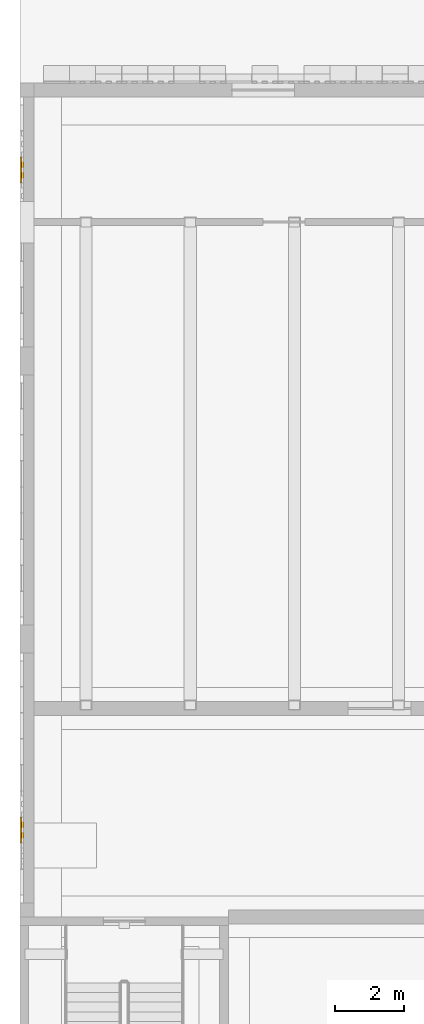
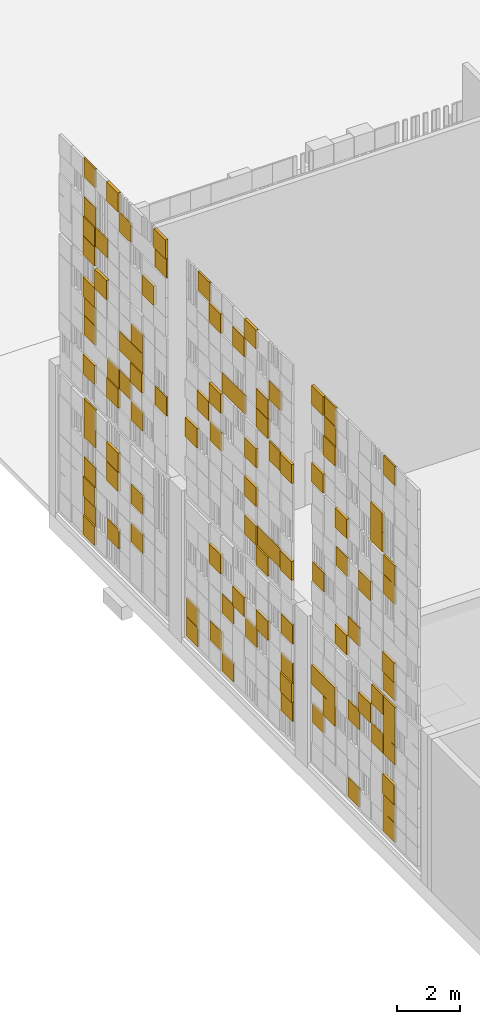
# One storey, part 90 of 125: 1 covering.
"""IFC4 building model written with IfcOpenShell, lengths in metres."""

from ifc_helpers import new_model, si_unit, direction, frame, origin, origin_2d, place, context, subcontext, project, spatial, rectangle, extrude, material, layer, layer_set, type_object, element, save


model = new_model("IFC4")

# Units and contexts
model_context = context("Model", 3, precision=1e-05, world=origin(), true_north=direction((0.0, 1.0)))
body_context = subcontext(model_context, "Body", "Model", "MODEL_VIEW")
ifc_project = project(units=[si_unit("LENGTHUNIT", "METRE"), si_unit("AREAUNIT", "SQUARE_METRE"), si_unit("VOLUMEUNIT", "CUBIC_METRE"), si_unit("PLANEANGLEUNIT", "RADIAN"), si_unit("MASSUNIT", "GRAM", prefix="KILO")], contexts=[model_context])

# Site, building, storey
site_placement = place(None, origin())
site = spatial("IfcSite", under=ifc_project, at=site_placement, CompositionType="ELEMENT")
building_placement = place(site_placement, origin())
building = spatial("IfcBuilding", under=site, at=building_placement, Name="Sun Court Science Centre", CompositionType="ELEMENT")
storey_placement = place(building_placement, origin())
storey = spatial("IfcBuildingStorey", under=building, at=storey_placement, Name="L00", CompositionType="ELEMENT", Elevation=0.0)

# Covering
ifc_material = material(Name="Terracotta shade 2", Category="masonry")
ifc_layer = layer(ifc_material, 0.06005859375)
ifc_layer_set = layer_set([ifc_layer], Name="Terracotta shade 2")
covering_type = type_object("IfcCoveringType", Name="Terracotta pixel panel shade 2", PredefinedType="CLADDING", material=ifc_layer_set)
covering_placement = place(storey_placement, origin())
element("IfcCovering", 1, at=covering_placement, inside=storey, type_object=covering_type, Name="Terracotta pixel cladding shade 2 west party wall L00", PredefinedType="CLADDING", context=body_context, shape_type="SweptSolid", body=[
    extrude(rectangle(XDim=0.739990234375, YDim=0.06005859375, at=origin_2d()), frame((0.070068359375, 50.5, 0.22998046875), z_axis=(0.0, 0.0, 1.0), x_axis=(0.0, 1.0, 0.0)), (0.0, 0.0, 1.0), 0.739990234375),
    extrude(rectangle(XDim=0.739990234375, YDim=0.06005859375, at=origin_2d()), frame((0.070068359375, 52.75, 0.22998046875), z_axis=(0.0, 0.0, 1.0), x_axis=(0.0, 1.0, 0.0)), (0.0, 0.0, 1.0), 0.739990234375),
    extrude(rectangle(XDim=0.739990234375, YDim=0.06005859375, at=origin_2d()), frame((0.070068359375, 55.0, 1.72998046875), z_axis=(0.0, 0.0, 1.0), x_axis=(0.0, 1.0, 0.0)), (0.0, 0.0, 1.0), 0.739990234375),
    extrude(rectangle(XDim=0.739990234375, YDim=0.10009765625, at=origin_2d()), frame((0.050048828125, 54.25, 2.47998046875), z_axis=(0.0, 0.0, 1.0), x_axis=(0.0, 1.0, 0.0)), (0.0, 0.0, 1.0), 0.739990234375),
    extrude(rectangle(XDim=0.739990234375, YDim=0.06005859375, at=origin_2d()), frame((0.070068359375, 51.25, 3.22998046875), z_axis=(0.0, 0.0, 1.0), x_axis=(0.0, 1.0, 0.0)), (0.0, 0.0, 1.0), 0.739990234375),
    extrude(rectangle(XDim=0.739990234375, YDim=0.06005859375, at=origin_2d()), frame((0.070068359375, 52.75, 3.22998046875), z_axis=(0.0, 0.0, 1.0), x_axis=(0.0, 1.0, 0.0)), (0.0, 0.0, 1.0), 0.739990234375),
    extrude(rectangle(XDim=0.739990234375, YDim=0.10009765625, at=origin_2d()), frame((0.050048828125, 54.25, 3.22998046875), z_axis=(0.0, 0.0, 1.0), x_axis=(0.0, 1.0, 0.0)), (0.0, 0.0, 1.0), 0.739990234375),
    extrude(rectangle(XDim=0.739990234375, YDim=0.10009765625, at=origin_2d()), frame((0.050048828125, 55.0, 3.22998046875), z_axis=(0.0, 0.0, 1.0), x_axis=(0.0, 1.0, 0.0)), (0.0, 0.0, 1.0), 0.739990234375),
    extrude(rectangle(XDim=0.739990234375, YDim=0.10009765625, at=origin_2d()), frame((0.050048828125, 52.0, 3.97998046875), z_axis=(0.0, 0.0, 1.0), x_axis=(0.0, 1.0, 0.0)), (0.0, 0.0, 1.0), 0.739990234375),
    extrude(rectangle(XDim=0.739990234375, YDim=0.06005859375, at=origin_2d()), frame((0.070068359375, 51.25, 4.72998046875), z_axis=(0.0, 0.0, 1.0), x_axis=(0.0, 1.0, 0.0)), (0.0, 0.0, 1.0), 0.739990234375),
    extrude(rectangle(XDim=0.739990234375, YDim=0.10009765625, at=origin_2d()), frame((0.050048828125, 53.5, 5.705078125), z_axis=(0.0, 0.0, 1.0), x_axis=(0.0, 1.0, 0.0)), (0.0, 0.0, 1.0), 0.739990234375),
    extrude(rectangle(XDim=0.739990234375, YDim=0.10009765625, at=origin_2d()), frame((0.050048828125, 50.5, 6.455078125), z_axis=(0.0, 0.0, 1.0), x_axis=(0.0, 1.0, 0.0)), (0.0, 0.0, 1.0), 0.739990234375),
    extrude(rectangle(XDim=0.739990234375, YDim=0.06005859375, at=origin_2d()), frame((0.070068359375, 52.75, 6.455078125), z_axis=(0.0, 0.0, 1.0), x_axis=(0.0, 1.0, 0.0)), (0.0, 0.0, 1.0), 0.739990234375),
    extrude(rectangle(XDim=0.739990234375, YDim=0.06005859375, at=origin_2d()), frame((0.070068359375, 55.0, 7.205078125), z_axis=(0.0, 0.0, 1.0), x_axis=(0.0, 1.0, 0.0)), (0.0, 0.0, 1.0), 0.739990234375),
    extrude(rectangle(XDim=0.739990234375, YDim=0.10009765625, at=origin_2d()), frame((0.050048828125, 52.0, 8.705078125), z_axis=(0.0, 0.0, 1.0), x_axis=(0.0, 1.0, 0.0)), (0.0, 0.0, 1.0), 0.739990234375),
    extrude(rectangle(XDim=0.739990234375, YDim=0.06005859375, at=origin_2d()), frame((0.070068359375, 53.5, 8.705078125), z_axis=(0.0, 0.0, 1.0), x_axis=(0.0, 1.0, 0.0)), (0.0, 0.0, 1.0), 0.739990234375),
    extrude(rectangle(XDim=0.739990234375, YDim=0.06005859375, at=origin_2d()), frame((0.070068359375, 50.5, 9.455078125), z_axis=(0.0, 0.0, 1.0), x_axis=(0.0, 1.0, 0.0)), (0.0, 0.0, 1.0), 0.739990234375),
    extrude(rectangle(XDim=0.739990234375, YDim=0.10009765625, at=origin_2d()), frame((0.050048828125, 53.5, 10.205078125), z_axis=(0.0, 0.0, 1.0), x_axis=(0.0, 1.0, 0.0)), (0.0, 0.0, 1.0), 0.739990234375),
    extrude(rectangle(XDim=0.739990234375, YDim=0.10009765625, at=origin_2d()), frame((0.050048828125, 51.25, 11.05126953125), z_axis=(0.0, 0.0, 1.0), x_axis=(0.0, 1.0, 0.0)), (0.0, 0.0, 1.0), 0.739990234375),
    extrude(rectangle(XDim=0.739990234375, YDim=0.10009765625, at=origin_2d()), frame((0.050048828125, 55.0, 11.05126953125), z_axis=(0.0, 0.0, 1.0), x_axis=(0.0, 1.0, 0.0)), (0.0, 0.0, 1.0), 0.739990234375),
    extrude(rectangle(XDim=0.739990234375, YDim=0.10009765625, at=origin_2d()), frame((0.050048828125, 51.25, 11.80126953125), z_axis=(0.0, 0.0, 1.0), x_axis=(0.0, 1.0, 0.0)), (0.0, 0.0, 1.0), 0.739990234375),
    extrude(rectangle(XDim=0.739990234375, YDim=0.10009765625, at=origin_2d()), frame((0.050048828125, 54.25, 12.55126953125), z_axis=(0.0, 0.0, 1.0), x_axis=(0.0, 1.0, 0.0)), (0.0, 0.0, 1.0), 0.739990234375),
    extrude(rectangle(XDim=0.739990234375, YDim=0.06005859375, at=origin_2d()), frame((0.070068359375, 54.25, 13.30126953125), z_axis=(0.0, 0.0, 1.0), x_axis=(0.0, 1.0, 0.0)), (0.0, 0.0, 1.0), 0.739990234375),
    extrude(rectangle(XDim=0.739990234375, YDim=0.06005859375, at=origin_2d()), frame((0.070068359375, 50.5, 14.05126953125), z_axis=(0.0, 0.0, 1.0), x_axis=(0.0, 1.0, 0.0)), (0.0, 0.0, 1.0), 0.739990234375),
    extrude(rectangle(XDim=0.739990234375, YDim=0.06005859375, at=origin_2d()), frame((0.070068359375, 54.25, 14.05126953125), z_axis=(0.0, 0.0, 1.0), x_axis=(0.0, 1.0, 0.0)), (0.0, 0.0, 1.0), 0.739990234375),
    extrude(rectangle(XDim=0.739990234375, YDim=0.10009765625, at=origin_2d()), frame((0.050048828125, 55.0, 14.05126953125), z_axis=(0.0, 0.0, 1.0), x_axis=(0.0, 1.0, 0.0)), (0.0, 0.0, 1.0), 0.739990234375),
    extrude(rectangle(XDim=0.739990234375, YDim=0.06005859375, at=origin_2d()), frame((0.070068359375, 60.75, 0.22998046875), z_axis=(0.0, 0.0, 1.0), x_axis=(0.0, 1.0, 0.0)), (0.0, 0.0, 1.0), 0.739990234375),
    extrude(rectangle(XDim=0.739990234375, YDim=0.06005859375, at=origin_2d()), frame((0.070068359375, 63.0, 0.22998046875), z_axis=(0.0, 0.0, 1.0), x_axis=(0.0, 1.0, 0.0)), (0.0, 0.0, 1.0), 0.739990234375),
    extrude(rectangle(XDim=0.739990234375, YDim=0.06005859375, at=origin_2d()), frame((0.070068359375, 57.0, 0.97998046875), z_axis=(0.0, 0.0, 1.0), x_axis=(0.0, 1.0, 0.0)), (0.0, 0.0, 1.0), 0.739990234375),
    extrude(rectangle(XDim=0.739990234375, YDim=0.06005859375, at=origin_2d()), frame((0.070068359375, 61.5, 0.97998046875), z_axis=(0.0, 0.0, 1.0), x_axis=(0.0, 1.0, 0.0)), (0.0, 0.0, 1.0), 0.739990234375),
    extrude(rectangle(XDim=0.739990234375, YDim=0.06005859375, at=origin_2d()), frame((0.070068359375, 63.0, 0.97998046875), z_axis=(0.0, 0.0, 1.0), x_axis=(0.0, 1.0, 0.0)), (0.0, 0.0, 1.0), 0.739990234375),
    extrude(rectangle(XDim=0.739990234375, YDim=0.10009765625, at=origin_2d()), frame((0.050048828125, 57.0, 1.72998046875), z_axis=(0.0, 0.0, 1.0), x_axis=(0.0, 1.0, 0.0)), (0.0, 0.0, 1.0), 0.739990234375),
    extrude(rectangle(XDim=0.739990234375, YDim=0.06005859375, at=origin_2d()), frame((0.070068359375, 57.0, 2.47998046875), z_axis=(0.0, 0.0, 1.0), x_axis=(0.0, 1.0, 0.0)), (0.0, 0.0, 1.0), 0.739990234375),
    extrude(rectangle(XDim=0.739990234375, YDim=0.06005859375, at=origin_2d()), frame((0.070068359375, 59.25, 2.47998046875), z_axis=(0.0, 0.0, 1.0), x_axis=(0.0, 1.0, 0.0)), (0.0, 0.0, 1.0), 0.739990234375),
    extrude(rectangle(XDim=0.739990234375, YDim=0.06005859375, at=origin_2d()), frame((0.070068359375, 60.75, 2.47998046875), z_axis=(0.0, 0.0, 1.0), x_axis=(0.0, 1.0, 0.0)), (0.0, 0.0, 1.0), 0.739990234375),
    extrude(rectangle(XDim=0.739990234375, YDim=0.10009765625, at=origin_2d()), frame((0.050048828125, 58.5, 3.22998046875), z_axis=(0.0, 0.0, 1.0), x_axis=(0.0, 1.0, 0.0)), (0.0, 0.0, 1.0), 0.739990234375),
    extrude(rectangle(XDim=0.739990234375, YDim=0.10009765625, at=origin_2d()), frame((0.050048828125, 60.0, 3.22998046875), z_axis=(0.0, 0.0, 1.0), x_axis=(0.0, 1.0, 0.0)), (0.0, 0.0, 1.0), 0.739990234375),
    extrude(rectangle(XDim=0.739990234375, YDim=0.06005859375, at=origin_2d()), frame((0.070068359375, 57.0, 3.97998046875), z_axis=(0.0, 0.0, 1.0), x_axis=(0.0, 1.0, 0.0)), (0.0, 0.0, 1.0), 0.739990234375),
    extrude(rectangle(XDim=0.739990234375, YDim=0.10009765625, at=origin_2d()), frame((0.050048828125, 61.5, 3.97998046875), z_axis=(0.0, 0.0, 1.0), x_axis=(0.0, 1.0, 0.0)), (0.0, 0.0, 1.0), 0.739990234375),
    extrude(rectangle(XDim=0.739990234375, YDim=0.10009765625, at=origin_2d()), frame((0.050048828125, 58.5, 5.705078125), z_axis=(0.0, 0.0, 1.0), x_axis=(0.0, 1.0, 0.0)), (0.0, 0.0, 1.0), 0.739990234375),
    extrude(rectangle(XDim=0.739990234375, YDim=0.10009765625, at=origin_2d()), frame((0.050048828125, 57.0, 6.455078125), z_axis=(0.0, 0.0, 1.0), x_axis=(0.0, 1.0, 0.0)), (0.0, 0.0, 1.0), 0.739990234375),
    extrude(rectangle(XDim=0.739990234375, YDim=0.06005859375, at=origin_2d()), frame((0.070068359375, 57.75, 6.455078125), z_axis=(0.0, 0.0, 1.0), x_axis=(0.0, 1.0, 0.0)), (0.0, 0.0, 1.0), 0.739990234375),
    extrude(rectangle(XDim=0.739990234375, YDim=0.06005859375, at=origin_2d()), frame((0.070068359375, 58.5, 6.455078125), z_axis=(0.0, 0.0, 1.0), x_axis=(0.0, 1.0, 0.0)), (0.0, 0.0, 1.0), 0.739990234375),
    extrude(rectangle(XDim=0.739990234375, YDim=0.10009765625, at=origin_2d()), frame((0.050048828125, 59.25, 6.455078125), z_axis=(0.0, 0.0, 1.0), x_axis=(0.0, 1.0, 0.0)), (0.0, 0.0, 1.0), 0.739990234375),
    extrude(rectangle(XDim=0.739990234375, YDim=0.10009765625, at=origin_2d()), frame((0.050048828125, 59.25, 7.955078125), z_axis=(0.0, 0.0, 1.0), x_axis=(0.0, 1.0, 0.0)), (0.0, 0.0, 1.0), 0.739990234375),
    extrude(rectangle(XDim=0.739990234375, YDim=0.10009765625, at=origin_2d()), frame((0.050048828125, 63.0, 7.955078125), z_axis=(0.0, 0.0, 1.0), x_axis=(0.0, 1.0, 0.0)), (0.0, 0.0, 1.0), 0.739990234375),
    extrude(rectangle(XDim=0.739990234375, YDim=0.06005859375, at=origin_2d()), frame((0.070068359375, 61.5, 8.705078125), z_axis=(0.0, 0.0, 1.0), x_axis=(0.0, 1.0, 0.0)), (0.0, 0.0, 1.0), 0.739990234375),
    extrude(rectangle(XDim=0.739990234375, YDim=0.10009765625, at=origin_2d()), frame((0.050048828125, 59.25, 9.455078125), z_axis=(0.0, 0.0, 1.0), x_axis=(0.0, 1.0, 0.0)), (0.0, 0.0, 1.0), 0.739990234375),
    extrude(rectangle(XDim=0.739990234375, YDim=0.10009765625, at=origin_2d()), frame((0.050048828125, 62.25, 9.455078125), z_axis=(0.0, 0.0, 1.0), x_axis=(0.0, 1.0, 0.0)), (0.0, 0.0, 1.0), 0.739990234375),
    extrude(rectangle(XDim=0.739990234375, YDim=0.10009765625, at=origin_2d()), frame((0.050048828125, 57.0, 10.205078125), z_axis=(0.0, 0.0, 1.0), x_axis=(0.0, 1.0, 0.0)), (0.0, 0.0, 1.0), 0.739990234375),
    extrude(rectangle(XDim=0.739990234375, YDim=0.06005859375, at=origin_2d()), frame((0.070068359375, 57.75, 10.205078125), z_axis=(0.0, 0.0, 1.0), x_axis=(0.0, 1.0, 0.0)), (0.0, 0.0, 1.0), 0.739990234375),
    extrude(rectangle(XDim=0.739990234375, YDim=0.10009765625, at=origin_2d()), frame((0.050048828125, 61.5, 10.205078125), z_axis=(0.0, 0.0, 1.0), x_axis=(0.0, 1.0, 0.0)), (0.0, 0.0, 1.0), 0.739990234375),
    extrude(rectangle(XDim=0.739990234375, YDim=0.10009765625, at=origin_2d()), frame((0.050048828125, 58.5, 11.05126953125), z_axis=(0.0, 0.0, 1.0), x_axis=(0.0, 1.0, 0.0)), (0.0, 0.0, 1.0), 0.739990234375),
    extrude(rectangle(XDim=0.739990234375, YDim=0.06005859375, at=origin_2d()), frame((0.070068359375, 60.0, 11.05126953125), z_axis=(0.0, 0.0, 1.0), x_axis=(0.0, 1.0, 0.0)), (0.0, 0.0, 1.0), 0.739990234375),
    extrude(rectangle(XDim=0.739990234375, YDim=0.06005859375, at=origin_2d()), frame((0.070068359375, 60.75, 11.05126953125), z_axis=(0.0, 0.0, 1.0), x_axis=(0.0, 1.0, 0.0)), (0.0, 0.0, 1.0), 0.739990234375),
    extrude(rectangle(XDim=0.739990234375, YDim=0.10009765625, at=origin_2d()), frame((0.050048828125, 58.5, 11.80126953125), z_axis=(0.0, 0.0, 1.0), x_axis=(0.0, 1.0, 0.0)), (0.0, 0.0, 1.0), 0.739990234375),
    extrude(rectangle(XDim=0.739990234375, YDim=0.06005859375, at=origin_2d()), frame((0.070068359375, 57.75, 12.55126953125), z_axis=(0.0, 0.0, 1.0), x_axis=(0.0, 1.0, 0.0)), (0.0, 0.0, 1.0), 0.739990234375),
    extrude(rectangle(XDim=0.739990234375, YDim=0.10009765625, at=origin_2d()), frame((0.050048828125, 60.0, 13.30126953125), z_axis=(0.0, 0.0, 1.0), x_axis=(0.0, 1.0, 0.0)), (0.0, 0.0, 1.0), 0.739990234375),
    extrude(rectangle(XDim=0.739990234375, YDim=0.10009765625, at=origin_2d()), frame((0.050048828125, 61.5, 13.30126953125), z_axis=(0.0, 0.0, 1.0), x_axis=(0.0, 1.0, 0.0)), (0.0, 0.0, 1.0), 0.739990234375),
    extrude(rectangle(XDim=0.739990234375, YDim=0.10009765625, at=origin_2d()), frame((0.050048828125, 59.25, 14.05126953125), z_axis=(0.0, 0.0, 1.0), x_axis=(0.0, 1.0, 0.0)), (0.0, 0.0, 1.0), 0.739990234375),
    extrude(rectangle(XDim=0.739990234375, YDim=0.06005859375, at=origin_2d()), frame((0.070068359375, 62.25, 14.05126953125), z_axis=(0.0, 0.0, 1.0), x_axis=(0.0, 1.0, 0.0)), (0.0, 0.0, 1.0), 0.739990234375),
    extrude(rectangle(XDim=0.739990234375, YDim=0.10009765625, at=origin_2d()), frame((0.050048828125, 69.5, 0.22998046875), z_axis=(0.0, 0.0, 1.0), x_axis=(0.0, 1.0, 0.0)), (0.0, 0.0, 1.0), 0.739990234375),
    extrude(rectangle(XDim=0.739990234375, YDim=0.06005859375, at=origin_2d()), frame((0.070068359375, 68.0, 0.97998046875), z_axis=(0.0, 0.0, 1.0), x_axis=(0.0, 1.0, 0.0)), (0.0, 0.0, 1.0), 0.739990234375),
    extrude(rectangle(XDim=0.739990234375, YDim=0.06005859375, at=origin_2d()), frame((0.070068359375, 66.5, 1.72998046875), z_axis=(0.0, 0.0, 1.0), x_axis=(0.0, 1.0, 0.0)), (0.0, 0.0, 1.0), 0.739990234375),
    extrude(rectangle(XDim=0.739990234375, YDim=0.10009765625, at=origin_2d()), frame((0.050048828125, 69.5, 1.72998046875), z_axis=(0.0, 0.0, 1.0), x_axis=(0.0, 1.0, 0.0)), (0.0, 0.0, 1.0), 0.739990234375),
    extrude(rectangle(XDim=0.739990234375, YDim=0.06005859375, at=origin_2d()), frame((0.070068359375, 66.5, 3.22998046875), z_axis=(0.0, 0.0, 1.0), x_axis=(0.0, 1.0, 0.0)), (0.0, 0.0, 1.0), 0.739990234375),
    extrude(rectangle(XDim=0.739990234375, YDim=0.10009765625, at=origin_2d()), frame((0.050048828125, 68.0, 3.22998046875), z_axis=(0.0, 0.0, 1.0), x_axis=(0.0, 1.0, 0.0)), (0.0, 0.0, 1.0), 0.739990234375),
    extrude(rectangle(XDim=0.739990234375, YDim=0.10009765625, at=origin_2d()), frame((0.050048828125, 68.0, 3.97998046875), z_axis=(0.0, 0.0, 1.0), x_axis=(0.0, 1.0, 0.0)), (0.0, 0.0, 1.0), 0.739990234375),
    extrude(rectangle(XDim=0.739990234375, YDim=0.06005859375, at=origin_2d()), frame((0.070068359375, 69.5, 4.72998046875), z_axis=(0.0, 0.0, 1.0), x_axis=(0.0, 1.0, 0.0)), (0.0, 0.0, 1.0), 0.739990234375),
    extrude(rectangle(XDim=0.739990234375, YDim=0.06005859375, at=origin_2d()), frame((0.070068359375, 66.5, 6.455078125), z_axis=(0.0, 0.0, 1.0), x_axis=(0.0, 1.0, 0.0)), (0.0, 0.0, 1.0), 0.739990234375),
    extrude(rectangle(XDim=0.739990234375, YDim=0.10009765625, at=origin_2d()), frame((0.050048828125, 68.0, 6.455078125), z_axis=(0.0, 0.0, 1.0), x_axis=(0.0, 1.0, 0.0)), (0.0, 0.0, 1.0), 0.739990234375),
    extrude(rectangle(XDim=0.739990234375, YDim=0.06005859375, at=origin_2d()), frame((0.070068359375, 67.25, 7.205078125), z_axis=(0.0, 0.0, 1.0), x_axis=(0.0, 1.0, 0.0)), (0.0, 0.0, 1.0), 0.739990234375),
    extrude(rectangle(XDim=0.739990234375, YDim=0.06005859375, at=origin_2d()), frame((0.070068359375, 68.0, 7.205078125), z_axis=(0.0, 0.0, 1.0), x_axis=(0.0, 1.0, 0.0)), (0.0, 0.0, 1.0), 0.739990234375),
    extrude(rectangle(XDim=0.739990234375, YDim=0.06005859375, at=origin_2d()), frame((0.070068359375, 65.0, 7.955078125), z_axis=(0.0, 0.0, 1.0), x_axis=(0.0, 1.0, 0.0)), (0.0, 0.0, 1.0), 0.739990234375),
    extrude(rectangle(XDim=0.739990234375, YDim=0.10009765625, at=origin_2d()), frame((0.050048828125, 66.5, 7.955078125), z_axis=(0.0, 0.0, 1.0), x_axis=(0.0, 1.0, 0.0)), (0.0, 0.0, 1.0), 0.739990234375),
    extrude(rectangle(XDim=0.739990234375, YDim=0.06005859375, at=origin_2d()), frame((0.070068359375, 66.5, 8.705078125), z_axis=(0.0, 0.0, 1.0), x_axis=(0.0, 1.0, 0.0)), (0.0, 0.0, 1.0), 0.739990234375),
    extrude(rectangle(XDim=0.739990234375, YDim=0.06005859375, at=origin_2d()), frame((0.070068359375, 67.25, 8.705078125), z_axis=(0.0, 0.0, 1.0), x_axis=(0.0, 1.0, 0.0)), (0.0, 0.0, 1.0), 0.739990234375),
    extrude(rectangle(XDim=0.739990234375, YDim=0.06005859375, at=origin_2d()), frame((0.070068359375, 66.5, 9.455078125), z_axis=(0.0, 0.0, 1.0), x_axis=(0.0, 1.0, 0.0)), (0.0, 0.0, 1.0), 0.739990234375),
    extrude(rectangle(XDim=0.739990234375, YDim=0.10009765625, at=origin_2d()), frame((0.050048828125, 68.75, 10.205078125), z_axis=(0.0, 0.0, 1.0), x_axis=(0.0, 1.0, 0.0)), (0.0, 0.0, 1.0), 0.739990234375),
    extrude(rectangle(XDim=0.739990234375, YDim=0.10009765625, at=origin_2d()), frame((0.050048828125, 69.5, 11.05126953125), z_axis=(0.0, 0.0, 1.0), x_axis=(0.0, 1.0, 0.0)), (0.0, 0.0, 1.0), 0.739990234375),
    extrude(rectangle(XDim=0.739990234375, YDim=0.10009765625, at=origin_2d()), frame((0.050048828125, 65.75, 11.80126953125), z_axis=(0.0, 0.0, 1.0), x_axis=(0.0, 1.0, 0.0)), (0.0, 0.0, 1.0), 0.739990234375),
    extrude(rectangle(XDim=0.739990234375, YDim=0.06005859375, at=origin_2d()), frame((0.070068359375, 68.75, 11.80126953125), z_axis=(0.0, 0.0, 1.0), x_axis=(0.0, 1.0, 0.0)), (0.0, 0.0, 1.0), 0.739990234375),
    extrude(rectangle(XDim=0.739990234375, YDim=0.06005859375, at=origin_2d()), frame((0.070068359375, 69.5, 12.55126953125), z_axis=(0.0, 0.0, 1.0), x_axis=(0.0, 1.0, 0.0)), (0.0, 0.0, 1.0), 0.739990234375),
    extrude(rectangle(XDim=0.739990234375, YDim=0.06005859375, at=origin_2d()), frame((0.070068359375, 65.0, 13.30126953125), z_axis=(0.0, 0.0, 1.0), x_axis=(0.0, 1.0, 0.0)), (0.0, 0.0, 1.0), 0.739990234375),
    extrude(rectangle(XDim=0.739990234375, YDim=0.06005859375, at=origin_2d()), frame((0.070068359375, 67.25, 13.30126953125), z_axis=(0.0, 0.0, 1.0), x_axis=(0.0, 1.0, 0.0)), (0.0, 0.0, 1.0), 0.739990234375),
    extrude(rectangle(XDim=0.739990234375, YDim=0.10009765625, at=origin_2d()), frame((0.050048828125, 65.0, 14.05126953125), z_axis=(0.0, 0.0, 1.0), x_axis=(0.0, 1.0, 0.0)), (0.0, 0.0, 1.0), 0.739990234375),
    extrude(rectangle(XDim=0.739990234375, YDim=0.10009765625, at=origin_2d()), frame((0.050048828125, 68.0, 14.05126953125), z_axis=(0.0, 0.0, 1.0), x_axis=(0.0, 1.0, 0.0)), (0.0, 0.0, 1.0), 0.739990234375),
    extrude(rectangle(XDim=0.739990234375, YDim=0.10009765625, at=origin_2d()), frame((0.050048828125, 50.5, 1.72998046875), z_axis=(0.0, 0.0, 1.0), x_axis=(0.0, 1.0, 0.0)), (0.0, 0.0, 1.0), 0.739990234375),
    extrude(rectangle(XDim=0.739990234375, YDim=0.06005859375, at=origin_2d()), frame((0.070068359375, 50.5, 4.72998046875), z_axis=(0.0, 0.0, 1.0), x_axis=(0.0, 1.0, 0.0)), (0.0, 0.0, 1.0), 0.739990234375),
    extrude(rectangle(XDim=0.739990234375, YDim=0.06005859375, at=origin_2d()), frame((0.070068359375, 50.5, 5.705078125), z_axis=(0.0, 0.0, 1.0), x_axis=(0.0, 1.0, 0.0)), (0.0, 0.0, 1.0), 0.739990234375),
    extrude(rectangle(XDim=0.739990234375, YDim=0.06005859375, at=origin_2d()), frame((0.070068359375, 69.5, 0.97998046875), z_axis=(0.0, 0.0, 1.0), x_axis=(0.0, 1.0, 0.0)), (0.0, 0.0, 1.0), 0.739990234375),
    extrude(rectangle(XDim=0.739990234375, YDim=0.06005859375, at=origin_2d()), frame((0.070068359375, 69.5, 8.705078125), z_axis=(0.0, 0.0, 1.0), x_axis=(0.0, 1.0, 0.0)), (0.0, 0.0, 1.0), 0.739990234375),
    extrude(rectangle(XDim=0.739990234375, YDim=0.06005859375, at=origin_2d()), frame((0.070068359375, 69.5, 14.05126953125), z_axis=(0.0, 0.0, 1.0), x_axis=(0.0, 1.0, 0.0)), (0.0, 0.0, 1.0), 0.739990234375),
    extrude(rectangle(XDim=0.739990234375, YDim=0.06005859375, at=origin_2d()), frame((0.070068359375, 50.5, 0.97998046875), z_axis=(0.0, 0.0, 1.0), x_axis=(0.0, 1.0, 0.0)), (0.0, 0.0, 1.0), 0.739990234375),
    extrude(rectangle(XDim=0.739990234375, YDim=0.06005859375, at=origin_2d()), frame((0.070068359375, 50.5, 3.97998046875), z_axis=(0.0, 0.0, 1.0), x_axis=(0.0, 1.0, 0.0)), (0.0, 0.0, 1.0), 0.739990234375),
    extrude(rectangle(XDim=0.739990234375, YDim=0.06005859375, at=origin_2d()), frame((0.070068359375, 50.5, 10.205078125), z_axis=(0.0, 0.0, 1.0), x_axis=(0.0, 1.0, 0.0)), (0.0, 0.0, 1.0), 0.739990234375),
    extrude(rectangle(XDim=0.739990234375, YDim=0.06005859375, at=origin_2d()), frame((0.070068359375, 69.5, 2.47998046875), z_axis=(0.0, 0.0, 1.0), x_axis=(0.0, 1.0, 0.0)), (0.0, 0.0, 1.0), 0.739990234375),
    extrude(rectangle(XDim=0.739990234375, YDim=0.10009765625, at=origin_2d()), frame((0.050048828125, 69.5, 6.455078125), z_axis=(0.0, 0.0, 1.0), x_axis=(0.0, 1.0, 0.0)), (0.0, 0.0, 1.0), 0.739990234375),
    extrude(rectangle(XDim=0.739990234375, YDim=0.06005859375, at=origin_2d()), frame((0.070068359375, 50.5, 3.22998046875), z_axis=(0.0, 0.0, 1.0), x_axis=(0.0, 1.0, 0.0)), (0.0, 0.0, 1.0), 0.739990234375),
    extrude(rectangle(XDim=0.739990234375, YDim=0.06005859375, at=origin_2d()), frame((0.070068359375, 69.5, 3.97998046875), z_axis=(0.0, 0.0, 1.0), x_axis=(0.0, 1.0, 0.0)), (0.0, 0.0, 1.0), 0.739990234375),
    extrude(rectangle(XDim=0.739990234375, YDim=0.06005859375, at=origin_2d()), frame((0.070068359375, 69.5, 7.955078125), z_axis=(0.0, 0.0, 1.0), x_axis=(0.0, 1.0, 0.0)), (0.0, 0.0, 1.0), 0.739990234375),
    extrude(rectangle(XDim=0.739990234375, YDim=0.10009765625, at=origin_2d()), frame((0.050048828125, 69.5, 9.455078125), z_axis=(0.0, 0.0, 1.0), x_axis=(0.0, 1.0, 0.0)), (0.0, 0.0, 1.0), 0.739990234375),
    extrude(rectangle(XDim=0.739990234375, YDim=0.10009765625, at=origin_2d()), frame((0.050048828125, 69.5, 11.80126953125), z_axis=(0.0, 0.0, 1.0), x_axis=(0.0, 1.0, 0.0)), (0.0, 0.0, 1.0), 0.739990234375),
])

save(model, "model.ifc")
